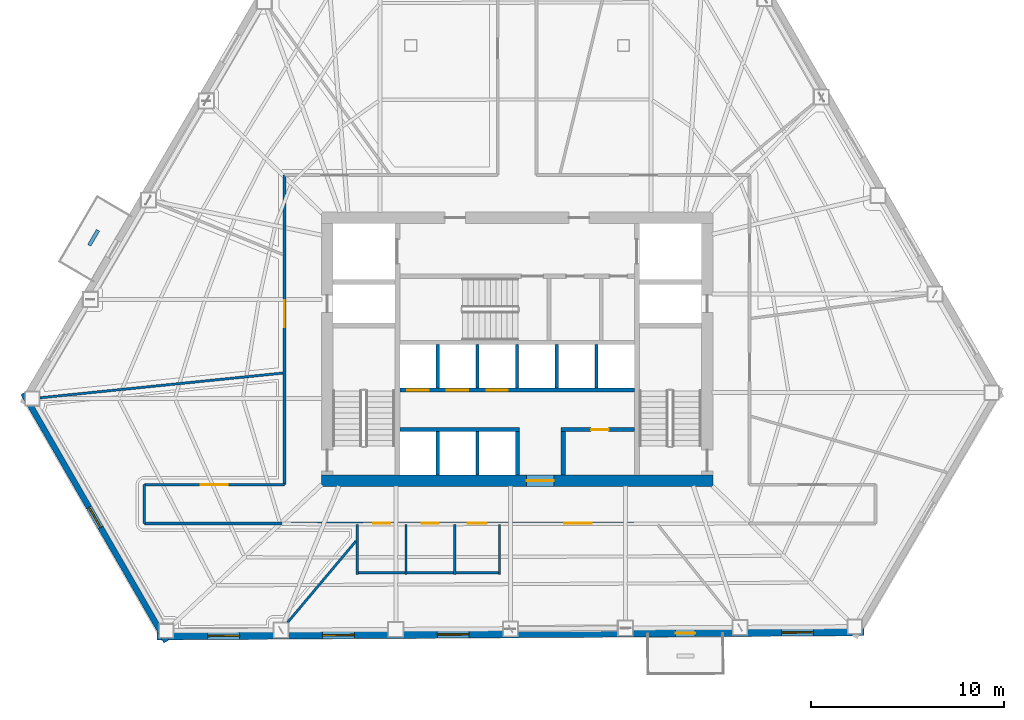
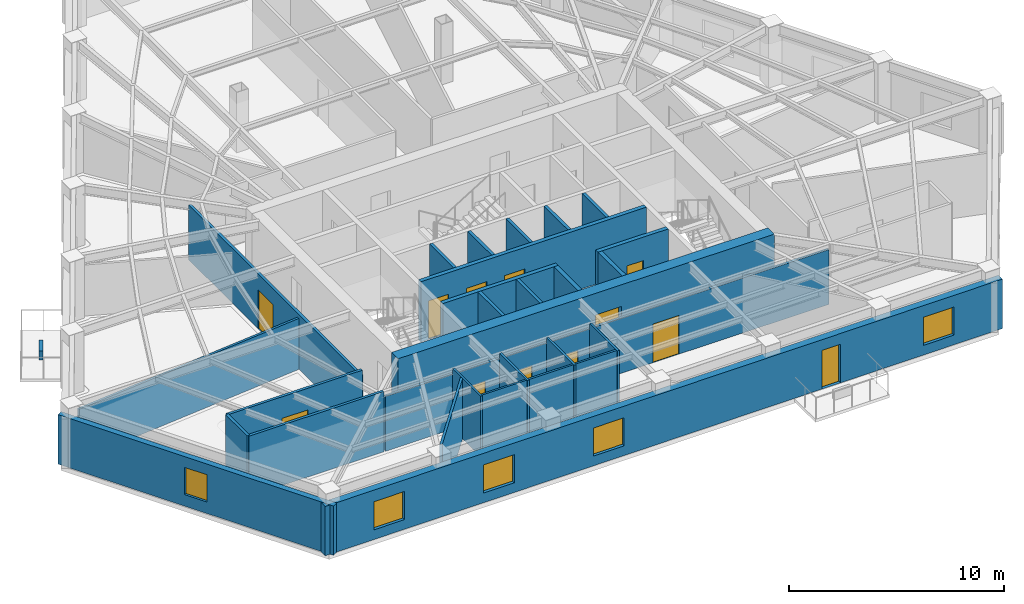
# One storey, part 8 of 14: 28 walls, 12 doors, 5 windows, 17 openings.
"""IFC4 building model written with IfcOpenShell, lengths in metres."""

from ifc_helpers import new_model, si_unit, direction, frame, frame_2d, origin, place, context, subcontext, project, spatial, rectangle, extrude, material, layer, layer_set, type_object, element, fill, save


model = new_model("IFC4")

# Units and contexts
model_context = context("Model", 3, precision=1e-05, world=origin(), true_north=direction((0.0, 1.0)))
body_context = subcontext(model_context, "Body", "Model", "MODEL_VIEW")
ifc_project = project(units=[si_unit("LENGTHUNIT", "METRE"), si_unit("AREAUNIT", "SQUARE_METRE"), si_unit("VOLUMEUNIT", "CUBIC_METRE"), si_unit("PLANEANGLEUNIT", "RADIAN"), si_unit("MASSUNIT", "GRAM", prefix="KILO")], contexts=[model_context])

# Site, building, storey
site_placement = place(None, origin())
site = spatial("IfcSite", under=ifc_project, at=site_placement, CompositionType="ELEMENT")
building_placement = place(site_placement, origin())
building = spatial("IfcBuilding", under=site, at=building_placement, Name="Kavelnor Concourse Tower", CompositionType="ELEMENT")
storey_placement = place(building_placement, frame((0.0, 0.0, 71.449951171875)))
storey = spatial("IfcBuildingStorey", under=building, at=storey_placement, Name="L18", CompositionType="ELEMENT", Elevation=71.449951171875)

# Wall, opening, door
ifc_material_1 = material(Name="Concrete C60/75", Category="concrete")
ifc_layer_1 = layer(ifc_material_1, 0.60009765625, Name="Concrete C60/75")
ifc_layer_set_1 = layer_set([ifc_layer_1], Name="Concrete C60/75")
wall_type_1 = type_object("IfcWallType", Name="WL-CORE-Z1-600", PredefinedType="SOLIDWALL", material=ifc_layer_set_1)
wall_1_placement = place(storey_placement, frame((27.8798828125, 9.300048828125, 0.0), z_axis=(0.0, 0.0, 1.0), x_axis=(1.0, 0.0, 0.0)))
wall_1 = element("IfcWall", 1, at=wall_1_placement, inside=storey, type_object=wall_type_1, Name="L18 Central Core South Shear Wall", PredefinedType="SOLIDWALL", context=body_context, shape_type="SweptSolid", body=[
    extrude(rectangle(XDim=20.240234375, YDim=0.60009765625, at=frame_2d((10.1201171875, 0.0))), origin(), (0.0, 0.0, 1.0), 3.429931640625),
])
opening_1_placement = place(wall_1_placement, frame((10.6201171875, 0.0, 0.0)))
opening_1 = element("IfcOpeningElement", 2, at=opening_1_placement, cuts=wall_1, Name="Opening SD-140", PredefinedType="OPENING", context=body_context, shape_type="SweptSolid", body=[
    extrude(rectangle(XDim=1.39990234375, YDim=2.199951171875, at=frame_2d((0.699951171875, 1.10009765625))), frame((0.0, 0.31005859375, 0.0), z_axis=(0.0, -1.0, 0.0), x_axis=(1.0, 0.0, 0.0)), (0.0, 0.0, 1.0), 0.6201171875),
])
ifc_material_2 = material(Name="Solid-core hardwood timber", Category="wood")
door_type_1 = type_object("IfcDoorType", Name="DR-SUITE-ENTRY-1400", OperationType="NOTDEFINED", PredefinedType="DOOR", material=ifc_material_2)
door_1_placement = place(opening_1_placement, origin())
door_1 = element("IfcDoor", 3, at=door_1_placement, inside=storey, type_object=door_type_1, Name="L18 Passenger Lift Lobby Entry Door", OperationType="SINGLE_SWING_LEFT", OverallHeight=2.199951171875, OverallWidth=1.39990234375, PredefinedType="DOOR", context=body_context, shape_type="SweptSolid", body=[
    extrude(rectangle(XDim=1.39990234375, YDim=2.199951171875, at=frame_2d((0.699951171875, 1.10009765625))), frame((0.0, 0.02490234375, 0.0), z_axis=(0.0, -1.0, 0.0), x_axis=(1.0, 0.0, 0.0)), (0.0, 0.0, 1.0), 0.050048828125),
])
fill(opening_1, door_1)

# Wall, opening, window
ifc_material_3 = material(Name="Buff ironspot clay face brick masonry", Category="masonry")
ifc_layer_2 = layer(ifc_material_3, 0.300048828125, Name="Buff ironspot clay face brick masonry")
ifc_layer_set_2 = layer_set([ifc_layer_2], Name="Buff ironspot clay face brick masonry")
wall_type_2 = type_object("IfcWallType", Name="WL-EXT-BUFF-BRICK-FOLD-300", PredefinedType="STANDARD", material=ifc_layer_set_2)
wall_2_placement = place(storey_placement, frame((19.874267578125, 0.990478515625, 0.0), z_axis=(0.0, 0.0, 1.0), x_axis=(-0.499265087694, 0.86644929004, 0.0)))
wall_2 = element("IfcWall", 4, at=wall_2_placement, inside=storey, type_object=wall_type_2, Name="L18 Exterior Brick Facade Wall E2", PredefinedType="STANDARD", context=body_context, shape_type="SweptSolid", body=[
    extrude(rectangle(XDim=14.820556640625, YDim=0.300048828125, at=frame_2d((7.41015625, 0.0))), origin(), (0.0, 0.0, 1.0), 2.81005859375),
])
opening_2_placement = place(wall_2_placement, frame((6.810302734375, 0.0, 0.64990234375)))
opening_2 = element("IfcOpeningElement", 5, at=opening_2_placement, cuts=wall_2, Name="Opening W-05", PredefinedType="OPENING", context=body_context, shape_type="SweptSolid", body=[
    extrude(rectangle(XDim=1.199951171875, YDim=1.550048828125, at=frame_2d((0.60009765625, 0.77490234375))), frame((0.0, 0.16015625, 0.0), z_axis=(0.0, -1.0, 0.0), x_axis=(1.0, 0.0, 0.0)), (0.0, 0.0, 1.0), 0.320068359375),
])
ifc_material_4 = material(Name="Double low-E argon insulated glazing", Category="glass")
window_type_1 = type_object("IfcWindowType", Name="WIN-FOLD-1200", PartitioningType="SINGLE_PANEL", PredefinedType="WINDOW", material=ifc_material_4)
window_1_placement = place(opening_2_placement, origin())
window_1 = element("IfcWindow", 6, at=window_1_placement, inside=storey, type_object=window_type_1, Name="L18 Chamfer-Fold Facet Window C1", OverallHeight=1.550048828125, OverallWidth=1.199951171875, PartitioningType="SINGLE_PANEL", PredefinedType="WINDOW", context=body_context, shape_type="SweptSolid", body=[
    extrude(rectangle(XDim=1.199951171875, YDim=1.550048828125, at=frame_2d((0.60009765625, 0.77490234375))), frame((0.0, 0.030029296875, 0.0), z_axis=(0.0, -1.0, 0.0), x_axis=(1.0, 0.0, 0.0)), (0.0, 0.0, 1.0), 0.06005859375),
])
fill(opening_2, window_1)

# Wall, openings, door, windows
ifc_material_5 = material(Name="Red-ochre clay face brick masonry", Category="masonry")
ifc_layer_3 = layer(ifc_material_5, 0.3798828125, Name="Red-ochre clay face brick masonry")
ifc_layer_set_3 = layer_set([ifc_layer_3], Name="Red-ochre clay face brick masonry")
wall_type_3 = type_object("IfcWallType", Name="WL-EXT-RED-BRICK-PIER-380", PredefinedType="STANDARD", material=ifc_layer_set_3)
wall_3_placement = place(storey_placement, frame((55.9326171875, 1.485595703125, 0.0), z_axis=(0.0, 0.0, 1.0), x_axis=(-0.999982241707, -0.005959552889, 0.0)))
wall_3 = element("IfcWall", 7, at=wall_3_placement, inside=storey, type_object=wall_type_3, Name="L18 Exterior Brick Facade Wall E3", PredefinedType="STANDARD", context=body_context, shape_type="SweptSolid", body=[
    extrude(rectangle(XDim=36.5419921875, YDim=0.3798828125, at=frame_2d((18.27099609375, 0.0))), origin(), (0.0, 0.0, 1.0), 2.81005859375),
])
opening_3_placement = place(wall_3_placement, frame((8.735595703125, 0.0, 0.0)))
opening_3 = element("IfcOpeningElement", 8, at=opening_3_placement, cuts=wall_3, Name="Opening BD-100", PredefinedType="OPENING", context=body_context, shape_type="SweptSolid", body=[
    extrude(rectangle(XDim=1.0, YDim=2.199951171875, at=frame_2d((0.5, 1.10009765625))), frame((0.0, 0.199951171875, 0.0), z_axis=(0.0, -1.0, 0.0), x_axis=(1.0, 0.0, 0.0)), (0.0, 0.0, 1.0), 0.39990234375),
])
opening_4_placement = place(wall_3_placement, frame((32.27197265625, 0.0, 0.550048828125)))
opening_4 = element("IfcOpeningElement", 9, at=opening_4_placement, cuts=wall_3, Name="Opening W-01", PredefinedType="OPENING", context=body_context, shape_type="SweptSolid", body=[
    extrude(rectangle(XDim=1.64990234375, YDim=1.60009765625, at=frame_2d((0.824951171875, 0.800048828125))), frame((0.0, 0.199951171875, 0.0), z_axis=(0.0, -1.0, 0.0), x_axis=(1.0, 0.0, 0.0)), (0.0, 0.0, 1.0), 0.39990234375),
])
opening_5_placement = place(wall_3_placement, frame((26.34033203125, 0.0, 0.550048828125)))
opening_5 = element("IfcOpeningElement", 10, at=opening_5_placement, cuts=wall_3, Name="Opening W-01", PredefinedType="OPENING", context=body_context, shape_type="SweptSolid", body=[
    extrude(rectangle(XDim=1.64990234375, YDim=1.60009765625, at=frame_2d((0.824951171875, 0.800048828125))), frame((0.0, 0.199951171875, 0.0), z_axis=(0.0, -1.0, 0.0), x_axis=(1.0, 0.0, 0.0)), (0.0, 0.0, 1.0), 0.39990234375),
])
opening_6_placement = place(wall_3_placement, frame((20.408935546875, 0.0, 0.550048828125)))
opening_6 = element("IfcOpeningElement", 11, at=opening_6_placement, cuts=wall_3, Name="Opening W-01", PredefinedType="OPENING", context=body_context, shape_type="SweptSolid", body=[
    extrude(rectangle(XDim=1.64990234375, YDim=1.60009765625, at=frame_2d((0.824951171875, 0.800048828125))), frame((0.0, 0.199951171875, 0.0), z_axis=(0.0, -1.0, 0.0), x_axis=(1.0, 0.0, 0.0)), (0.0, 0.0, 1.0), 0.39990234375),
])
opening_7_placement = place(wall_3_placement, frame((2.614501953125, 0.0, 0.550048828125)))
opening_7 = element("IfcOpeningElement", 12, at=opening_7_placement, cuts=wall_3, Name="Opening W-01", PredefinedType="OPENING", context=body_context, shape_type="SweptSolid", body=[
    extrude(rectangle(XDim=1.64990234375, YDim=1.60009765625, at=frame_2d((0.824951171875, 0.800048828125))), frame((0.0, 0.199951171875, 0.0), z_axis=(0.0, -1.0, 0.0), x_axis=(1.0, 0.0, 0.0)), (0.0, 0.0, 1.0), 0.39990234375),
])
ifc_material_6 = material(Name="Anodised aluminium 6063-T6", Category="aluminium")
door_type_2 = type_object("IfcDoorType", Name="DR-BALCONY-EXT-1000", OperationType="NOTDEFINED", PredefinedType="DOOR", material=ifc_material_6)
door_2_placement = place(opening_3_placement, origin())
door_2 = element("IfcDoor", 13, at=door_2_placement, inside=storey, type_object=door_type_2, Name="L18 Tree Balcony 2 Glazed Door", OperationType="SINGLE_SWING_RIGHT", OverallHeight=2.199951171875, OverallWidth=1.0, PredefinedType="DOOR", context=body_context, shape_type="SweptSolid", body=[
    extrude(rectangle(XDim=1.0, YDim=2.199951171875, at=frame_2d((0.5, 1.10009765625))), frame((0.0, 0.02490234375, 0.0), z_axis=(0.0, -1.0, 0.0), x_axis=(1.0, 0.0, 0.0)), (0.0, 0.0, 1.0), 0.050048828125),
])
fill(opening_3, door_2)
window_type_2 = type_object("IfcWindowType", Name="WIN-PIER-Z1-1800", PartitioningType="SINGLE_PANEL", PredefinedType="WINDOW", material=ifc_material_4)
window_2_placement = place(opening_4_placement, origin())
window_2 = element("IfcWindow", 14, at=window_2_placement, inside=storey, type_object=window_type_2, Name="L18 Deep-Set Brick Pier Window F1-B0", OverallHeight=1.60009765625, OverallWidth=1.64990234375, PartitioningType="SINGLE_PANEL", PredefinedType="WINDOW", context=body_context, shape_type="SweptSolid", body=[
    extrude(rectangle(XDim=1.64990234375, YDim=1.60009765625, at=frame_2d((0.824951171875, 0.800048828125))), frame((0.0, 0.030029296875, 0.0), z_axis=(0.0, -1.0, 0.0), x_axis=(1.0, 0.0, 0.0)), (0.0, 0.0, 1.0), 0.06005859375),
])
fill(opening_4, window_2)
window_3_placement = place(opening_5_placement, origin())
window_3 = element("IfcWindow", 15, at=window_3_placement, inside=storey, type_object=window_type_2, Name="L18 Deep-Set Brick Pier Window F1-B1", OverallHeight=1.60009765625, OverallWidth=1.64990234375, PartitioningType="SINGLE_PANEL", PredefinedType="WINDOW", context=body_context, shape_type="SweptSolid", body=[
    extrude(rectangle(XDim=1.64990234375, YDim=1.60009765625, at=frame_2d((0.824951171875, 0.800048828125))), frame((0.0, 0.030029296875, 0.0), z_axis=(0.0, -1.0, 0.0), x_axis=(1.0, 0.0, 0.0)), (0.0, 0.0, 1.0), 0.06005859375),
])
fill(opening_5, window_3)
window_4_placement = place(opening_6_placement, origin())
window_4 = element("IfcWindow", 16, at=window_4_placement, inside=storey, type_object=window_type_2, Name="L18 Deep-Set Brick Pier Window F1-B2", OverallHeight=1.60009765625, OverallWidth=1.64990234375, PartitioningType="SINGLE_PANEL", PredefinedType="WINDOW", context=body_context, shape_type="SweptSolid", body=[
    extrude(rectangle(XDim=1.64990234375, YDim=1.60009765625, at=frame_2d((0.824951171875, 0.800048828125))), frame((0.0, 0.030029296875, 0.0), z_axis=(0.0, -1.0, 0.0), x_axis=(1.0, 0.0, 0.0)), (0.0, 0.0, 1.0), 0.06005859375),
])
fill(opening_6, window_4)
window_5_placement = place(opening_7_placement, origin())
window_5 = element("IfcWindow", 17, at=window_5_placement, inside=storey, type_object=window_type_2, Name="L18 Deep-Set Brick Pier Window F1-B5", OverallHeight=1.60009765625, OverallWidth=1.64990234375, PartitioningType="SINGLE_PANEL", PredefinedType="WINDOW", context=body_context, shape_type="SweptSolid", body=[
    extrude(rectangle(XDim=1.64990234375, YDim=1.60009765625, at=frame_2d((0.824951171875, 0.800048828125))), frame((0.0, 0.030029296875, 0.0), z_axis=(0.0, -1.0, 0.0), x_axis=(1.0, 0.0, 0.0)), (0.0, 0.0, 1.0), 0.06005859375),
])
fill(opening_7, window_5)

# Wall, opening, door
ifc_material_7 = material(Name="Gypsum plasterboard on light-gauge steel studs", Category="steel")
ifc_layer_4 = layer(ifc_material_7, 0.14501953125, Name="Gypsum plasterboard on light-gauge steel studs")
ifc_layer_set_4 = layer_set([ifc_layer_4], Name="Gypsum plasterboard on light-gauge steel studs")
wall_type_4 = type_object("IfcWallType", Name="WL-INT-CORR-145", PredefinedType="PARTITIONING", material=ifc_layer_set_4)
wall_4_placement = place(storey_placement, frame((18.733154296875, 9.10009765625, 0.0), z_axis=(0.0, 0.0, 1.0), x_axis=(1.0, 0.0, 0.0)))
wall_4 = element("IfcWall", 18, at=wall_4_placement, inside=storey, type_object=wall_type_4, Name="L18 Corridor Wall WL-L18-CR-01", PredefinedType="PARTITIONING", context=body_context, shape_type="SweptSolid", body=[
    extrude(rectangle(XDim=7.246826171875, YDim=0.14501953125, at=frame_2d((3.62353515625, 0.0))), origin(), (0.0, 0.0, 1.0), 3.429931640625),
])
opening_8_placement = place(wall_4_placement, frame((2.92333984375, 0.0, 0.0)))
opening_8 = element("IfcOpeningElement", 19, at=opening_8_placement, cuts=wall_4, Name="Opening SD-140", PredefinedType="OPENING", context=body_context, shape_type="SweptSolid", body=[
    extrude(rectangle(XDim=1.39990234375, YDim=2.199951171875, at=frame_2d((0.699951171875, 1.10009765625))), frame((0.0, 0.08251953125, 0.0), z_axis=(0.0, -1.0, 0.0), x_axis=(1.0, 0.0, 0.0)), (0.0, 0.0, 1.0), 0.1650390625),
])
door_3_placement = place(opening_8_placement, origin())
door_3 = element("IfcDoor", 20, at=door_3_placement, inside=storey, type_object=door_type_1, Name="L18 Technical Reference Library 06 Door", OperationType="SINGLE_SWING_LEFT", OverallHeight=2.199951171875, OverallWidth=1.39990234375, PredefinedType="DOOR", context=body_context, shape_type="SweptSolid", body=[
    extrude(rectangle(XDim=1.39990234375, YDim=2.199951171875, at=frame_2d((0.699951171875, 1.10009765625))), frame((0.0, 0.02490234375, 0.0), z_axis=(0.0, -1.0, 0.0), x_axis=(1.0, 0.0, 0.0)), (0.0, 0.0, 1.0), 0.050048828125),
])
fill(opening_8, door_3)

wall_5_placement = place(storey_placement, frame((25.97998046875, 9.10009765625, 0.0), z_axis=(0.0, 0.0, 1.0), x_axis=(0.0, 1.0, 0.0)))
wall_5 = element("IfcWall", 21, at=wall_5_placement, inside=storey, type_object=wall_type_4, Name="L18 Corridor Wall WL-L18-CR-02", PredefinedType="PARTITIONING", context=body_context, shape_type="SweptSolid", body=[
    extrude(rectangle(XDim=16.0, YDim=0.14501953125, at=frame_2d((8.0, 0.0))), origin(), (0.0, 0.0, 1.0), 3.1181640625),
])
opening_9_placement = place(wall_5_placement, frame((8.130126953125, 0.0, 0.0)))
opening_9 = element("IfcOpeningElement", 22, at=opening_9_placement, cuts=wall_5, Name="Opening SD-140", PredefinedType="OPENING", context=body_context, shape_type="SweptSolid", body=[
    extrude(rectangle(XDim=1.39990234375, YDim=2.199951171875, at=frame_2d((0.699951171875, 1.10009765625))), frame((0.0, 0.08251953125, 0.0), z_axis=(0.0, -1.0, 0.0), x_axis=(1.0, 0.0, 0.0)), (0.0, 0.0, 1.0), 0.1650390625),
])
door_4_placement = place(opening_9_placement, origin())
door_4 = element("IfcDoor", 23, at=door_4_placement, inside=storey, type_object=door_type_1, Name="L18 Technical Reference Library 05 Door", OperationType="SINGLE_SWING_RIGHT", OverallHeight=2.199951171875, OverallWidth=1.39990234375, PredefinedType="DOOR", context=body_context, shape_type="SweptSolid", body=[
    extrude(rectangle(XDim=1.39990234375, YDim=2.199951171875, at=frame_2d((0.699951171875, 1.10009765625))), frame((0.0, 0.02490234375, 0.0), z_axis=(0.0, -1.0, 0.0), x_axis=(1.0, 0.0, 0.0)), (0.0, 0.0, 1.0), 0.050048828125),
])
fill(opening_9, door_4)

# Wall, openings, doors
wall_6_placement = place(storey_placement, frame((49.919921875, 7.10009765625, 0.0), z_axis=(0.0, 0.0, 1.0), x_axis=(-1.0, 0.0, 0.0)))
wall_6 = element("IfcWall", 24, at=wall_6_placement, inside=storey, type_object=wall_type_4, Name="L18 Corridor Wall WL-L18-CR-12", PredefinedType="PARTITIONING", context=body_context, shape_type="SweptSolid", body=[
    extrude(rectangle(XDim=23.83984375, YDim=0.14501953125, at=frame_2d((11.919921875, 0.0))), origin(), (0.0, 0.0, 1.0), 3.1181640625),
])
opening_10_placement = place(wall_6_placement, frame((18.47998046875, 0.0, 0.0)))
opening_10 = element("IfcOpeningElement", 25, at=opening_10_placement, cuts=wall_6, Name="Opening WD-088", PredefinedType="OPENING", context=body_context, shape_type="SweptSolid", body=[
    extrude(rectangle(XDim=0.8798828125, YDim=2.10009765625, at=frame_2d((0.43994140625, 1.050048828125))), frame((0.0, 0.08251953125, 0.0), z_axis=(0.0, -1.0, 0.0), x_axis=(1.0, 0.0, 0.0)), (0.0, 0.0, 1.0), 0.1650390625),
])
opening_11_placement = place(wall_6_placement, frame((15.9599609375, 0.0, 0.0)))
opening_11 = element("IfcOpeningElement", 26, at=opening_11_placement, cuts=wall_6, Name="Opening WD-088", PredefinedType="OPENING", context=body_context, shape_type="SweptSolid", body=[
    extrude(rectangle(XDim=0.8798828125, YDim=2.10009765625, at=frame_2d((0.43994140625, 1.050048828125))), frame((0.0, 0.08251953125, 0.0), z_axis=(0.0, -1.0, 0.0), x_axis=(1.0, 0.0, 0.0)), (0.0, 0.0, 1.0), 0.1650390625),
])
opening_12_placement = place(wall_6_placement, frame((13.5, 0.0, 0.0)))
opening_12 = element("IfcOpeningElement", 27, at=opening_12_placement, cuts=wall_6, Name="Opening WD-096", PredefinedType="OPENING", context=body_context, shape_type="SweptSolid", body=[
    extrude(rectangle(XDim=0.9599609375, YDim=2.10009765625, at=frame_2d((0.47998046875, 1.050048828125))), frame((0.0, 0.08251953125, 0.0), z_axis=(0.0, -1.0, 0.0), x_axis=(1.0, 0.0, 0.0)), (0.0, 0.0, 1.0), 0.1650390625),
])
opening_13_placement = place(wall_6_placement, frame((8.072021484375, 0.0, 0.0)))
opening_13 = element("IfcOpeningElement", 28, at=opening_13_placement, cuts=wall_6, Name="Opening SD-140", PredefinedType="OPENING", context=body_context, shape_type="SweptSolid", body=[
    extrude(rectangle(XDim=1.39990234375, YDim=2.199951171875, at=frame_2d((0.699951171875, 1.10009765625))), frame((0.0, 0.08251953125, 0.0), z_axis=(0.0, -1.0, 0.0), x_axis=(1.0, 0.0, 0.0)), (0.0, 0.0, 1.0), 0.1650390625),
])
door_5_placement = place(opening_13_placement, origin())
door_5 = element("IfcDoor", 29, at=door_5_placement, inside=storey, type_object=door_type_1, Name="L18 Workplace Open Office 07 Door", OperationType="SINGLE_SWING_RIGHT", OverallHeight=2.199951171875, OverallWidth=1.39990234375, PredefinedType="DOOR", context=body_context, shape_type="SweptSolid", body=[
    extrude(rectangle(XDim=1.39990234375, YDim=2.199951171875, at=frame_2d((0.699951171875, 1.10009765625))), frame((0.0, 0.02490234375, 0.0), z_axis=(0.0, -1.0, 0.0), x_axis=(1.0, 0.0, 0.0)), (0.0, 0.0, 1.0), 0.050048828125),
])
fill(opening_13, door_5)
door_type_3 = type_object("IfcDoorType", Name="DR-WC-ACC-960", OperationType="NOTDEFINED", PredefinedType="DOOR", material=ifc_material_2)
door_6_placement = place(opening_12_placement, origin())
door_6 = element("IfcDoor", 30, at=door_6_placement, inside=storey, type_object=door_type_3, Name="L18 Accessible WC Door", OperationType="SINGLE_SWING_LEFT", OverallHeight=2.10009765625, OverallWidth=0.9599609375, PredefinedType="DOOR", context=body_context, shape_type="SweptSolid", body=[
    extrude(rectangle(XDim=0.9599609375, YDim=2.10009765625, at=frame_2d((0.47998046875, 1.050048828125))), frame((0.0, 0.02490234375, 0.0), z_axis=(0.0, -1.0, 0.0), x_axis=(1.0, 0.0, 0.0)), (0.0, 0.0, 1.0), 0.050048828125),
])
fill(opening_12, door_6)
door_type_4 = type_object("IfcDoorType", Name="DR-WC-STD-880", OperationType="NOTDEFINED", PredefinedType="DOOR", material=ifc_material_2)
door_7_placement = place(opening_10_placement, origin())
door_7 = element("IfcDoor", 31, at=door_7_placement, inside=storey, type_object=door_type_4, Name="L18 Male WC Door", OperationType="SINGLE_SWING_LEFT", OverallHeight=2.10009765625, OverallWidth=0.8798828125, PredefinedType="DOOR", context=body_context, shape_type="SweptSolid", body=[
    extrude(rectangle(XDim=0.8798828125, YDim=2.10009765625, at=frame_2d((0.43994140625, 1.050048828125))), frame((0.0, 0.02490234375, 0.0), z_axis=(0.0, -1.0, 0.0), x_axis=(1.0, 0.0, 0.0)), (0.0, 0.0, 1.0), 0.050048828125),
])
fill(opening_10, door_7)
door_8_placement = place(opening_11_placement, origin())
door_8 = element("IfcDoor", 32, at=door_8_placement, inside=storey, type_object=door_type_4, Name="L18 Female WC Door", OperationType="SINGLE_SWING_RIGHT", OverallHeight=2.10009765625, OverallWidth=0.8798828125, PredefinedType="DOOR", context=body_context, shape_type="SweptSolid", body=[
    extrude(rectangle(XDim=0.8798828125, YDim=2.10009765625, at=frame_2d((0.43994140625, 1.050048828125))), frame((0.0, 0.02490234375, 0.0), z_axis=(0.0, -1.0, 0.0), x_axis=(1.0, 0.0, 0.0)), (0.0, 0.0, 1.0), 0.050048828125),
])
fill(opening_11, door_8)

# Walls
wall_7_placement = place(storey_placement, frame((25.97998046875, 7.10009765625, 0.0), z_axis=(0.0, 0.0, 1.0), x_axis=(-1.0, 0.0, 0.0)))
element("IfcWall", 33, at=wall_7_placement, inside=storey, type_object=wall_type_4, Name="L18 Corridor Wall WL-L18-CR-13", PredefinedType="PARTITIONING", context=body_context, shape_type="SweptSolid", body=[
    extrude(rectangle(XDim=7.246826171875, YDim=0.14501953125, at=frame_2d((3.62353515625, 0.0))), origin(), (0.0, 0.0, 1.0), 3.429931640625),
])
wall_8_placement = place(storey_placement, frame((18.733154296875, 7.10009765625, 0.0), z_axis=(0.0, 0.0, 1.0), x_axis=(0.0, 1.0, 0.0)))
element("IfcWall", 34, at=wall_8_placement, inside=storey, type_object=wall_type_4, Name="L18 Corridor Wall WL-L18-CR-14", PredefinedType="PARTITIONING", context=body_context, shape_type="SweptSolid", body=[
    extrude(rectangle(XDim=2.0, YDim=0.14501953125, at=frame_2d((1.0, 0.0))), origin(), (0.0, 0.0, 1.0), 3.429931640625),
])
ifc_layer_5 = layer(ifc_material_7, 0.1650390625, Name="Gypsum plasterboard on light-gauge steel studs")
ifc_layer_set_5 = layer_set([ifc_layer_5], Name="Gypsum plasterboard on light-gauge steel studs")
wall_type_5 = type_object("IfcWallType", Name="WL-INT-FIRE-165", PredefinedType="PARTITIONING", material=ifc_layer_set_5)
for number, where, z_axis, x_axis, name in (
    (35, (33.89990234375, 9.60009765625, 0.0), (0.0, 0.0, 1.0), (0.0, 1.0, 0.0), "L18 Lift Shaft Divider LP7"),
    (36, (35.949951171875, 9.60009765625, 0.0), (0.0, 0.0, 1.0), (0.0, 1.0, 0.0), "L18 Lift Shaft Divider LP8"),
    (37, (33.89990234375, 14.10009765625, 0.0), (0.0, 0.0, 1.0), (0.0, 1.0, 0.0), "L18 Lift Shaft Divider LP1"),
    (38, (35.949951171875, 14.10009765625, 0.0), (0.0, 0.0, 1.0), (0.0, 1.0, 0.0), "L18 Lift Shaft Divider LP2"),
    (39, (38.0, 14.10009765625, 0.0), (0.0, 0.0, 1.0), (0.0, 1.0, 0.0), "L18 Lift Shaft Divider LP3"),
    (40, (40.050048828125, 14.10009765625, 0.0), (0.0, 0.0, 1.0), (0.0, 1.0, 0.0), "L18 Lift Shaft Divider LP4"),
    (41, (42.10009765625, 14.10009765625, 0.0), (0.0, 0.0, 1.0), (0.0, 1.0, 0.0), "L18 Lift Shaft Divider LP5"),
):
    element("IfcWall", number, at=place(storey_placement, frame(where, z_axis=z_axis, x_axis=x_axis)), inside=storey, type_object=wall_type_5, Name=name, PredefinedType="PARTITIONING", context=body_context, shape_type="SweptSolid", body=[
        extrude(rectangle(XDim=2.239990234375, YDim=0.1650390625, at=frame_2d((1.1201171875, 0.0))), origin(), (0.0, 0.0, 1.0), 3.429931640625),
    ])
ifc_layer_6 = layer(ifc_material_7, 0.125, Name="Gypsum plasterboard on light-gauge steel studs")
ifc_layer_set_6 = layer_set([ifc_layer_6], Name="Gypsum plasterboard on light-gauge steel studs")
wall_type_6 = type_object("IfcWallType", Name="WL-INT-SUITE-125", PredefinedType="PARTITIONING", material=ifc_layer_set_6)
wall_9_placement = place(storey_placement, frame((25.8994140625, 14.869384765625, 0.0), z_axis=(0.0, 0.0, 1.0), x_axis=(-0.99486751796, -0.101186074678, 0.0)))
element("IfcWall", 42, at=wall_9_placement, inside=storey, type_object=wall_type_6, Name="L18 Radial Suite Partition 06", PredefinedType="PARTITIONING", context=body_context, shape_type="SweptSolid", body=[
    extrude(rectangle(XDim=12.62841796875, YDim=0.125, at=frame_2d((6.314208984375, 0.0))), origin(), (0.0, 0.0, 1.0), 2.89697265625),
])
wall_10_placement = place(storey_placement, frame((29.677001953125, 6.19140625, 0.0), z_axis=(0.0, 0.0, 1.0), x_axis=(-0.64317332917, -0.76572062049, 0.0)))
element("IfcWall", 43, at=wall_10_placement, inside=storey, type_object=wall_type_6, Name="L18 Radial Suite Partition 07", PredefinedType="PARTITIONING", context=body_context, shape_type="SweptSolid", body=[
    extrude(rectangle(XDim=5.49462890625, YDim=0.125, at=frame_2d((2.747314453125, 0.0))), origin(), (0.0, 0.0, 1.0), 3.429931640625),
])
ifc_layer_7 = layer(ifc_material_7, 0.110107421875, Name="Gypsum plasterboard on light-gauge steel studs")
ifc_layer_set_7 = layer_set([ifc_layer_7], Name="Gypsum plasterboard on light-gauge steel studs")
wall_type_7 = type_object("IfcWallType", Name="WL-INT-WC-110", PredefinedType="PLUMBINGWALL", material=ifc_layer_set_7)
for number, where, z_axis, x_axis, name in (
    (44, (29.739990234375, 4.449951171875, 0.0), (0.0, 0.0, 1.0), (0.0, 1.0, 0.0), "L18 Sanitary Partition WL-L18-WC-W"),
    (45, (32.260009765625, 4.449951171875, 0.0), (0.0, 0.0, 1.0), (0.0, 1.0, 0.0), "L18 Sanitary Partition WL-L18-WC-D1"),
    (46, (34.780029296875, 4.449951171875, 0.0), (0.0, 0.0, 1.0), (0.0, 1.0, 0.0), "L18 Sanitary Partition WL-L18-WC-D2"),
    (47, (37.10009765625, 4.449951171875, 0.0), (0.0, 0.0, 1.0), (0.0, 1.0, 0.0), "L18 Sanitary Partition WL-L18-WC-E"),
):
    element("IfcWall", number, at=place(storey_placement, frame(where, z_axis=z_axis, x_axis=x_axis)), inside=storey, type_object=wall_type_7, Name=name, PredefinedType="PLUMBINGWALL", context=body_context, shape_type="SweptSolid", body=[
        extrude(rectangle(XDim=2.580078125, YDim=0.110107421875, at=frame_2d((1.2900390625, 0.0))), origin(), (0.0, 0.0, 1.0), 3.429931640625),
    ])
wall_11_placement = place(storey_placement, frame((29.68994140625, 4.550048828125, 0.0), z_axis=(0.0, 0.0, 1.0), x_axis=(1.0, 0.0, 0.0)))
element("IfcWall", 48, at=wall_11_placement, inside=storey, type_object=wall_type_7, Name="L18 Sanitary Partition WL-L18-WC-S", PredefinedType="PLUMBINGWALL", context=body_context, shape_type="SweptSolid", body=[
    extrude(rectangle(XDim=7.4599609375, YDim=0.110107421875, at=frame_2d((3.72998046875, 0.0))), origin(), (0.0, 0.0, 1.0), 3.429931640625),
])
ifc_material_8 = material(Name="Architectural precast planter concrete C40/50", Category="concrete")
ifc_layer_8 = layer(ifc_material_8, 0.18994140625, Name="Architectural precast planter concrete C40/50")
ifc_layer_set_8 = layer_set([ifc_layer_8], Name="Architectural precast planter concrete C40/50")
wall_type_8 = type_object("IfcWallType", Name="WL-PLANTER-KERB-190", PredefinedType="USERDEFINED", material=ifc_layer_set_8)
wall_12_placement = place(storey_placement, frame((16.34228515625, 22.247314453125, 0.0), z_axis=(0.0, 0.0, 1.0), x_axis=(-0.504410493852, -0.863463985174, 0.0)))
element("IfcWall", 49, at=wall_12_placement, inside=storey, type_object=wall_type_8, Name="L18 Tree Balcony 1 Tree Planter Kerb", ObjectType="PLANTER", PredefinedType="USERDEFINED", context=body_context, shape_type="SweptSolid", body=[
    extrude(rectangle(XDim=0.900146484375, YDim=0.18994140625, at=frame_2d((0.4501953125, 0.0))), origin(), (0.0, 0.0, 1.0), 0.5),
])

# Wall, openings, doors
ifc_material_9 = material(Name="Concrete C50/60", Category="concrete")
ifc_layer_9 = layer(ifc_material_9, 0.219970703125, Name="Concrete C50/60")
ifc_layer_set_9 = layer_set([ifc_layer_9], Name="Concrete C50/60")
wall_type_9 = type_object("IfcWallType", Name="WL-SHAFT-220", PredefinedType="SOLIDWALL", material=ifc_layer_set_9)
wall_13_placement = place(storey_placement, frame((31.93994140625, 13.989990234375, 0.0), z_axis=(0.0, 0.0, 1.0), x_axis=(1.0, 0.0, 0.0)))
wall_13 = element("IfcWall", 50, at=wall_13_placement, inside=storey, type_object=wall_type_9, Name="L18 North Lift Row Shaft Wall", PredefinedType="SOLIDWALL", context=body_context, shape_type="SweptSolid", body=[
    extrude(rectangle(XDim=12.1201171875, YDim=0.219970703125, at=frame_2d((6.06005859375, 0.0))), origin(), (0.0, 0.0, 1.0), 3.429931640625),
])
opening_14_placement = place(wall_13_placement, frame((0.385009765625, 0.0, 0.0)))
opening_14 = element("IfcOpeningElement", 51, at=opening_14_placement, cuts=wall_13, Name="Opening LD-110", PredefinedType="OPENING", context=body_context, shape_type="SweptSolid", body=[
    extrude(rectangle(XDim=1.10009765625, YDim=2.199951171875, at=frame_2d((0.550048828125, 1.10009765625))), frame((0.0, 0.1201171875, 0.0), z_axis=(0.0, -1.0, 0.0), x_axis=(1.0, 0.0, 0.0)), (0.0, 0.0, 1.0), 0.239990234375),
])
opening_15_placement = place(wall_13_placement, frame((2.43505859375, 0.0, 0.0)))
opening_15 = element("IfcOpeningElement", 52, at=opening_15_placement, cuts=wall_13, Name="Opening LD-110", PredefinedType="OPENING", context=body_context, shape_type="SweptSolid", body=[
    extrude(rectangle(XDim=1.10009765625, YDim=2.199951171875, at=frame_2d((0.550048828125, 1.10009765625))), frame((0.0, 0.1201171875, 0.0), z_axis=(0.0, -1.0, 0.0), x_axis=(1.0, 0.0, 0.0)), (0.0, 0.0, 1.0), 0.239990234375),
])
opening_16_placement = place(wall_13_placement, frame((4.485107421875, 0.0, 0.0)))
opening_16 = element("IfcOpeningElement", 53, at=opening_16_placement, cuts=wall_13, Name="Opening LD-110", PredefinedType="OPENING", context=body_context, shape_type="SweptSolid", body=[
    extrude(rectangle(XDim=1.10009765625, YDim=2.199951171875, at=frame_2d((0.550048828125, 1.10009765625))), frame((0.0, 0.1201171875, 0.0), z_axis=(0.0, -1.0, 0.0), x_axis=(1.0, 0.0, 0.0)), (0.0, 0.0, 1.0), 0.239990234375),
])
ifc_material_10 = material(Name="Steel Grade 350", Category="steel")
door_type_5 = type_object("IfcDoorType", Name="DR-LIFT-SLIDING-1100", OperationType="NOTDEFINED", PredefinedType="DOOR", material=ifc_material_10)
door_9_placement = place(opening_14_placement, origin())
door_9 = element("IfcDoor", 54, at=door_9_placement, inside=storey, type_object=door_type_5, Name="L18 Lift LP1 Landing Door", OperationType="DOUBLE_DOOR_SLIDING", OverallHeight=2.199951171875, OverallWidth=1.10009765625, PredefinedType="DOOR", context=body_context, shape_type="SweptSolid", body=[
    extrude(rectangle(XDim=1.10009765625, YDim=2.199951171875, at=frame_2d((0.550048828125, 1.10009765625))), frame((0.0, 0.02490234375, 0.0), z_axis=(0.0, -1.0, 0.0), x_axis=(1.0, 0.0, 0.0)), (0.0, 0.0, 1.0), 0.050048828125),
])
fill(opening_14, door_9)
door_10_placement = place(opening_15_placement, origin())
door_10 = element("IfcDoor", 55, at=door_10_placement, inside=storey, type_object=door_type_5, Name="L18 Lift LP2 Landing Door", OperationType="DOUBLE_DOOR_SLIDING", OverallHeight=2.199951171875, OverallWidth=1.10009765625, PredefinedType="DOOR", context=body_context, shape_type="SweptSolid", body=[
    extrude(rectangle(XDim=1.10009765625, YDim=2.199951171875, at=frame_2d((0.550048828125, 1.10009765625))), frame((0.0, 0.02490234375, 0.0), z_axis=(0.0, -1.0, 0.0), x_axis=(1.0, 0.0, 0.0)), (0.0, 0.0, 1.0), 0.050048828125),
])
fill(opening_15, door_10)
door_11_placement = place(opening_16_placement, origin())
door_11 = element("IfcDoor", 56, at=door_11_placement, inside=storey, type_object=door_type_5, Name="L18 Lift LP3 Landing Door", OperationType="DOUBLE_DOOR_SLIDING", OverallHeight=2.199951171875, OverallWidth=1.10009765625, PredefinedType="DOOR", context=body_context, shape_type="SweptSolid", body=[
    extrude(rectangle(XDim=1.10009765625, YDim=2.199951171875, at=frame_2d((0.550048828125, 1.10009765625))), frame((0.0, 0.02490234375, 0.0), z_axis=(0.0, -1.0, 0.0), x_axis=(1.0, 0.0, 0.0)), (0.0, 0.0, 1.0), 0.050048828125),
])
fill(opening_16, door_11)

# Wall
wall_14_placement = place(storey_placement, frame((31.93994140625, 11.949951171875, 0.0), z_axis=(0.0, 0.0, 1.0), x_axis=(1.0, 0.0, 0.0)))
element("IfcWall", 57, at=wall_14_placement, inside=storey, type_object=wall_type_9, Name="L18 High-Rise Lift Bank North Wall", PredefinedType="SOLIDWALL", context=body_context, shape_type="SweptSolid", body=[
    extrude(rectangle(XDim=6.18994140625, YDim=0.219970703125, at=frame_2d((3.094970703125, 0.0))), origin(), (0.0, 0.0, 1.0), 3.429931640625),
])

# Wall, opening, door
wall_15_placement = place(storey_placement, frame((40.280029296875, 11.949951171875, 0.0), z_axis=(0.0, 0.0, 1.0), x_axis=(1.0, 0.0, 0.0)))
wall_15 = element("IfcWall", 58, at=wall_15_placement, inside=storey, type_object=wall_type_9, Name="L18 Core South Support North Wall", PredefinedType="SOLIDWALL", context=body_context, shape_type="SweptSolid", body=[
    extrude(rectangle(XDim=3.780029296875, YDim=0.219970703125, at=frame_2d((1.89013671875, 0.0))), origin(), (0.0, 0.0, 1.0), 3.429931640625),
])
opening_17_placement = place(wall_15_placement, frame((1.550048828125, 0.0, 0.0)))
opening_17 = element("IfcOpeningElement", 59, at=opening_17_placement, cuts=wall_15, Name="Opening FD-090", PredefinedType="OPENING", context=body_context, shape_type="SweptSolid", body=[
    extrude(rectangle(XDim=0.89990234375, YDim=2.10009765625, at=frame_2d((0.449951171875, 1.050048828125))), frame((0.0, 0.1201171875, 0.0), z_axis=(0.0, -1.0, 0.0), x_axis=(1.0, 0.0, 0.0)), (0.0, 0.0, 1.0), 0.239990234375),
])
door_type_6 = type_object("IfcDoorType", Name="DR-RISER-FIRE-900", OperationType="NOTDEFINED", PredefinedType="DOOR", material=ifc_material_10)
door_12_placement = place(opening_17_placement, origin())
door_12 = element("IfcDoor", 60, at=door_12_placement, inside=storey, type_object=door_type_6, Name="L18 Core Utility Store Door", OperationType="SINGLE_SWING_LEFT", OverallHeight=2.10009765625, OverallWidth=0.89990234375, PredefinedType="DOOR", context=body_context, shape_type="SweptSolid", body=[
    extrude(rectangle(XDim=0.89990234375, YDim=2.10009765625, at=frame_2d((0.449951171875, 1.050048828125))), frame((0.0, 0.02490234375, 0.0), z_axis=(0.0, -1.0, 0.0), x_axis=(1.0, 0.0, 0.0)), (0.0, 0.0, 1.0), 0.050048828125),
])
fill(opening_17, door_12)

# Walls
for number, where, z_axis, x_axis, name in (
    (61, (38.02001953125, 9.60009765625, 0.0), (0.0, 0.0, 1.0), (0.0, 1.0, 0.0), "L18 Lift Lobby Throat West Wall"),
    (62, (40.389892578125, 9.60009765625, 0.0), (0.0, 0.0, 1.0), (0.0, 1.0, 0.0), "L18 Lift Lobby Throat East Wall"),
):
    element("IfcWall", number, at=place(storey_placement, frame(where, z_axis=z_axis, x_axis=x_axis)), inside=storey, type_object=wall_type_9, Name=name, PredefinedType="SOLIDWALL", context=body_context, shape_type="SweptSolid", body=[
        extrude(rectangle(XDim=2.239990234375, YDim=0.219970703125, at=frame_2d((1.1201171875, 0.0))), origin(), (0.0, 0.0, 1.0), 3.429931640625),
    ])

save(model, "model.ifc")
